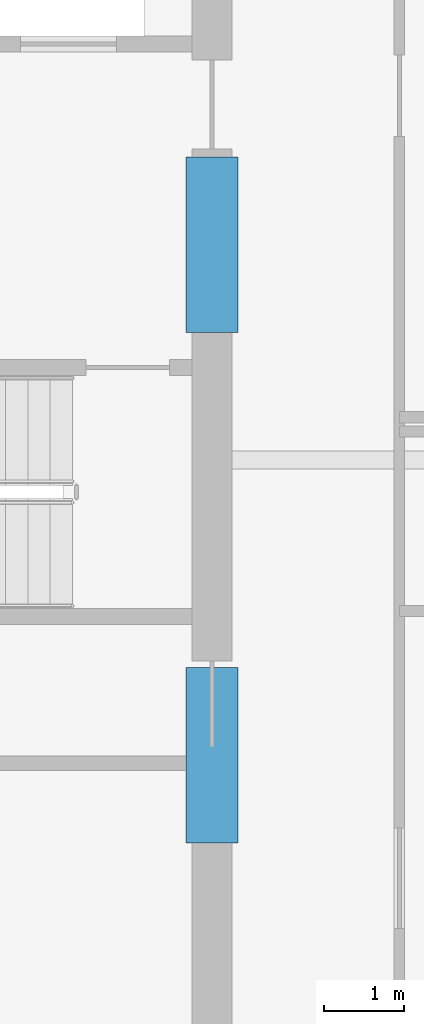
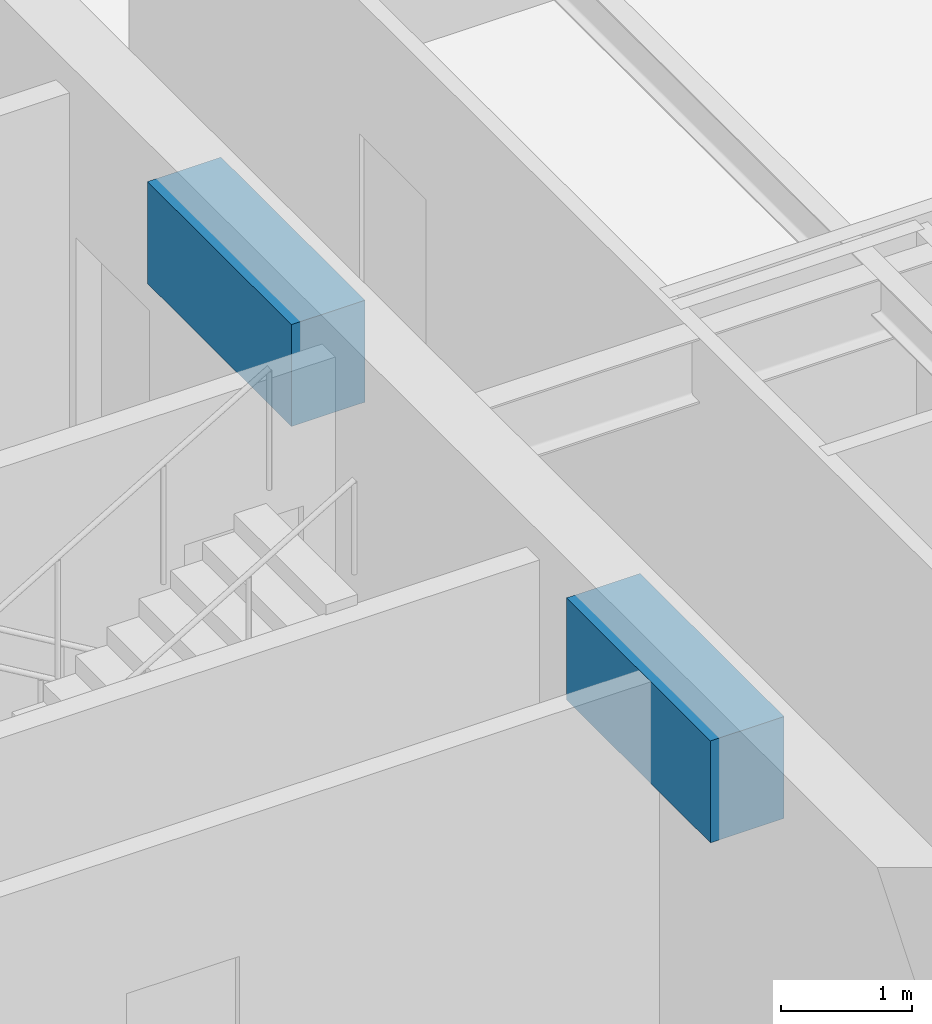
# One storey, part 14 of 33: 2 beams.
"""IFC4 building model written with IfcOpenShell, lengths in metres."""

from ifc_helpers import new_model, si_unit, direction, frame, origin, origin_2d, place, context, subcontext, project, spatial, rectangle, extrude, material, material_profile, profile_set, type_object, element, save


model = new_model("IFC4")

# Units and contexts
model_context = context("Model", 3, precision=1e-05, world=origin(), true_north=direction((0.0, 1.0)))
body_context = subcontext(model_context, "Body", "Model", "MODEL_VIEW")
ifc_project = project(units=[si_unit("LENGTHUNIT", "METRE"), si_unit("AREAUNIT", "SQUARE_METRE"), si_unit("VOLUMEUNIT", "CUBIC_METRE"), si_unit("PLANEANGLEUNIT", "RADIAN"), si_unit("MASSUNIT", "GRAM", prefix="KILO")], contexts=[model_context])

# Site, building, storey
site_placement = place(None, origin())
site = spatial("IfcSite", under=ifc_project, at=site_placement, CompositionType="ELEMENT")
building_placement = place(site_placement, origin())
building = spatial("IfcBuilding", under=site, at=building_placement, Name="Drelvath Grand Hotel", CompositionType="ELEMENT")
storey_placement = place(building_placement, frame((0.0, 0.0, 275.949951171875)))
storey = spatial("IfcBuildingStorey", under=building, at=storey_placement, Name="L72", CompositionType="ELEMENT", Elevation=275.949951171875)

# Beams
ifc_material = material(Name="Concrete f'c 55 MPa", Category="concrete")
ifc_material_profile = material_profile(ifc_material, rectangle(XDim=0.64990234375, YDim=0.949951171875, at=origin_2d()), Name="CB650X950")
ifc_profile_set = profile_set([ifc_material_profile], Name="Concrete f'c 55 MPa")
beam_type = type_object("IfcBeamType", Name="Core Coupling Lintel CB650X950", PredefinedType="LINTEL", material=ifc_profile_set)
for number, where, z_axis, x_axis, name in (
    (1, (8.35009765625, 22.199951171875, 2.9150390625), (0.0, 1.0, 0.0), (-1.0, 0.0, 0.0), "L72 Core Coupling Lintel ES"),
    (2, (8.35009765625, 28.60009765625, 2.9150390625), (0.0, 1.0, 0.0), (-1.0, 0.0, 0.0), "L72 Core Coupling Lintel EN"),
):
    element("IfcBeam", number, at=place(storey_placement, frame(where, z_axis=z_axis, x_axis=x_axis)), inside=storey, type_object=beam_type, Name=name, PredefinedType="LINTEL", context=body_context, shape_type="SweptSolid", body=[
        extrude(rectangle(XDim=0.64990234375, YDim=0.949951171875, at=origin_2d()), origin(), (0.0, 0.0, 1.0), 2.199951171875),
    ])

save(model, "model.ifc")
